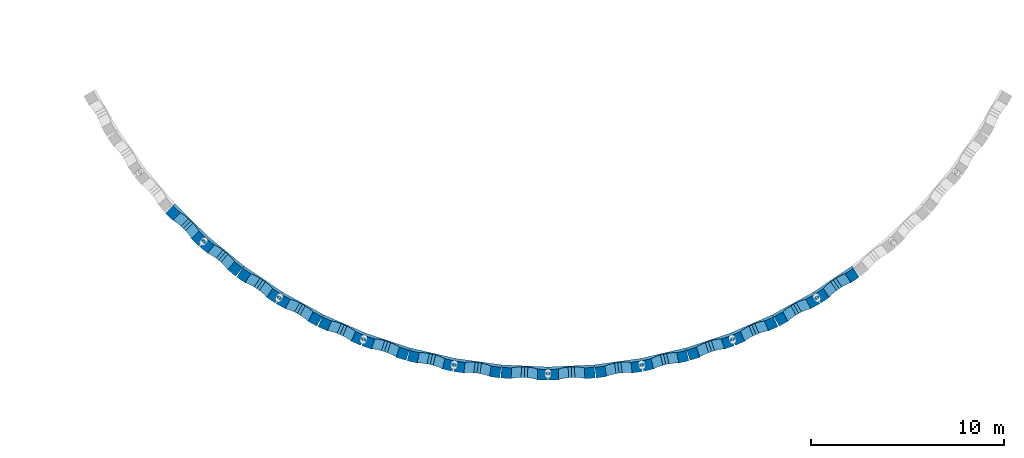
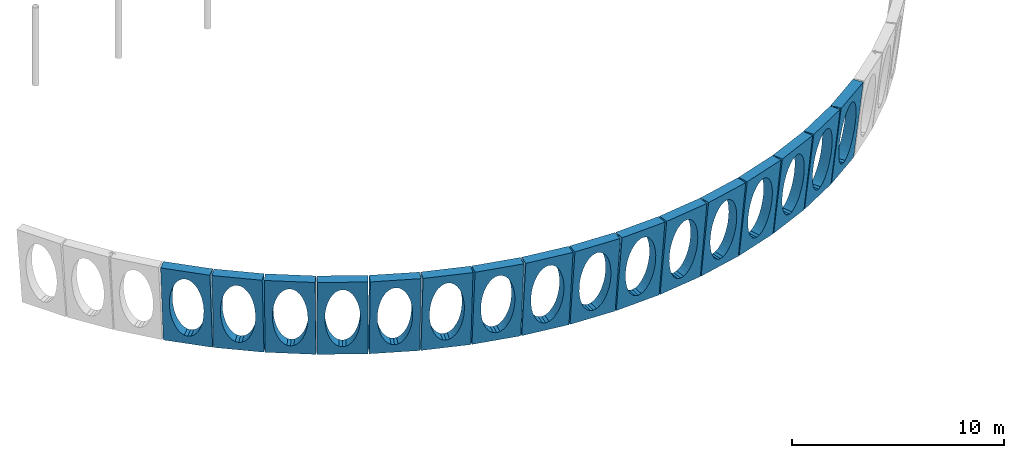
# One storey, part 141 of 164: 16 walls, 16 openings.
"""IFC4 building model written with IfcOpenShell, lengths in metres."""

from ifc_helpers import new_model, si_unit, direction, frame, origin, place, context, subcontext, project, spatial, polyline, outline, extrude, material, layer, layer_set, type_object, element, save


model = new_model("IFC4")

# Units and contexts
model_context = context("Model", 3, precision=1e-05, world=origin(), true_north=direction((0.0, 1.0)))
body_context = subcontext(model_context, "Body", "Model", "MODEL_VIEW")
ifc_project = project(units=[si_unit("LENGTHUNIT", "METRE"), si_unit("AREAUNIT", "SQUARE_METRE"), si_unit("VOLUMEUNIT", "CUBIC_METRE"), si_unit("PLANEANGLEUNIT", "RADIAN"), si_unit("MASSUNIT", "GRAM", prefix="KILO")], contexts=[model_context])

# Site, building, storey
site_placement = place(None, origin())
site = spatial("IfcSite", under=ifc_project, at=site_placement, CompositionType="ELEMENT")
building_placement = place(site_placement, origin())
building = spatial("IfcBuilding", under=site, at=building_placement, Name="Mawjan Specialist Oncology Clinic", CompositionType="ELEMENT")
storey_placement = place(building_placement, frame((0.0, 0.0, 5.0)))
storey = spatial("IfcBuildingStorey", under=building, at=storey_placement, Name="L01", CompositionType="ELEMENT", Elevation=5.0)

# Wall, opening
ifc_material = material(Name="Concrete C45/55", Category="concrete")
ifc_layer = layer(ifc_material, 0.550048828125, Name="Concrete C45/55", Category="concrete")
ifc_layer_set = layer_set([ifc_layer], Name="Concrete C45/55")
wall_type = type_object("IfcWallType", Name="EW-ARC550", PredefinedType="SOLIDWALL", material=ifc_layer_set)
wall_1_placement = place(storey_placement, frame((66.210693359375, 9.265380859375, 0.0), z_axis=(0.0, 0.0, 1.0), x_axis=(-0.711713192598, 0.702470164122, 0.0)))
wall_1 = element("IfcWall", 1, at=wall_1_placement, inside=storey, type_object=wall_type, Name="Curved Stone-Arc Wall L01 Chord 04", PredefinedType="SOLIDWALL", context=body_context, shape_type="SweptSolid", body=[
    extrude(outline(polyline([(-0.27490234375, 0.0), (0.27490234375, 0.0), (0.78759765625, 4.5), (0.23779296875, 4.5), (-0.27490234375, 0.0)])), frame((0.0, 0.0, 0.0), z_axis=(1.0, 0.0, 0.0), x_axis=(0.0, 1.0, 0.0)), (0.0, 0.0, 1.0), 2.403564453125),
])
opening_1_placement = place(wall_1_placement, origin())
element("IfcOpeningElement", 2, at=opening_1_placement, cuts=wall_1, Name="Elliptical sky opening 1", PredefinedType="OPENING", context=body_context, shape_type="SweptSolid", body=[
    extrude(outline(polyline([(2.0419921875, 2.25), (2.02587890625, 2.597900390625), (1.97802734375, 2.932373046875), (1.900390625, 3.240478515625), (1.7958984375, 3.5107421875), (1.66845703125, 3.732421875), (1.5234375, 3.897216796875), (1.36572265625, 3.998779296875), (1.201904296875, 4.032958984375), (1.0380859375, 3.998779296875), (0.88037109375, 3.897216796875), (0.735107421875, 3.732421875), (0.60791015625, 3.5107421875), (0.50341796875, 3.240478515625), (0.42578125, 2.932373046875), (0.3779296875, 2.597900390625), (0.36181640625, 2.25), (0.3779296875, 1.902099609375), (0.42578125, 1.567626953125), (0.50341796875, 1.259521484375), (0.60791015625, 0.9892578125), (0.735107421875, 0.767578125), (0.88037109375, 0.602783203125), (1.0380859375, 0.501220703125), (1.201904296875, 0.467041015625), (1.36572265625, 0.501220703125), (1.5234375, 0.602783203125), (1.66845703125, 0.767578125), (1.7958984375, 0.9892578125), (1.900390625, 1.259521484375), (1.97802734375, 1.567626953125), (2.02587890625, 1.902099609375), (2.0419921875, 2.25)])), frame((0.0, 0.8076171875, 0.0), z_axis=(0.0, -1.0, 0.0), x_axis=(1.0, 0.0, 0.0)), (0.0, 0.0, 1.0), 1.102783203125),
])

wall_2_placement = place(storey_placement, frame((68.091064453125, 7.720458984375, 0.0), z_axis=(0.0, 0.0, 1.0), x_axis=(-0.77301973123, 0.634381978881, 0.0)))
wall_2 = element("IfcWall", 3, at=wall_2_placement, inside=storey, type_object=wall_type, Name="Curved Stone-Arc Wall L01 Chord 05", PredefinedType="SOLIDWALL", context=body_context, shape_type="SweptSolid", body=[
    extrude(outline(polyline([(-0.27490234375, 0.0), (0.27490234375, 0.0), (0.78759765625, 4.5), (0.23779296875, 4.5), (-0.27490234375, 0.0)])), frame((0.0, 0.0, 0.0), z_axis=(1.0, 0.0, 0.0), x_axis=(0.0, 1.0, 0.0)), (0.0, 0.0, 1.0), 2.40380859375),
])
opening_2_placement = place(wall_2_placement, origin())
element("IfcOpeningElement", 4, at=opening_2_placement, cuts=wall_2, Name="Elliptical sky opening 1", PredefinedType="OPENING", context=body_context, shape_type="SweptSolid", body=[
    extrude(outline(polyline([(2.0419921875, 2.25), (2.02587890625, 2.597900390625), (1.97802734375, 2.932373046875), (1.900390625, 3.240478515625), (1.7958984375, 3.5107421875), (1.66845703125, 3.732421875), (1.5234375, 3.897216796875), (1.36572265625, 3.998779296875), (1.201904296875, 4.032958984375), (1.0380859375, 3.998779296875), (0.88037109375, 3.897216796875), (0.735107421875, 3.732421875), (0.60791015625, 3.5107421875), (0.50341796875, 3.240478515625), (0.42578125, 2.932373046875), (0.3779296875, 2.597900390625), (0.36181640625, 2.25), (0.3779296875, 1.902099609375), (0.42578125, 1.567626953125), (0.50341796875, 1.259521484375), (0.60791015625, 0.9892578125), (0.735107421875, 0.767578125), (0.88037109375, 0.602783203125), (1.0380859375, 0.501220703125), (1.201904296875, 0.467041015625), (1.36572265625, 0.501220703125), (1.5234375, 0.602783203125), (1.66845703125, 0.767578125), (1.7958984375, 0.9892578125), (1.900390625, 1.259521484375), (1.97802734375, 1.567626953125), (2.02587890625, 1.902099609375), (2.0419921875, 2.25)])), frame((0.0, 0.8076171875, 0.0), z_axis=(0.0, -1.0, 0.0), x_axis=(1.0, 0.0, 0.0)), (0.0, 0.0, 1.0), 1.102783203125),
])

wall_3_placement = place(storey_placement, frame((70.10498046875, 6.35400390625, 0.0), z_axis=(0.0, 0.0, 1.0), x_axis=(-0.827775657602, 0.561059230993, 0.0)))
wall_3 = element("IfcWall", 5, at=wall_3_placement, inside=storey, type_object=wall_type, Name="Curved Stone-Arc Wall L01 Chord 06", PredefinedType="SOLIDWALL", context=body_context, shape_type="SweptSolid", body=[
    extrude(outline(polyline([(-0.27490234375, 0.0), (0.27490234375, 0.0), (0.78759765625, 4.5), (0.23779296875, 4.5), (-0.27490234375, 0.0)])), frame((0.0, 0.0, 0.0), z_axis=(1.0, 0.0, 0.0), x_axis=(0.0, 1.0, 0.0)), (0.0, 0.0, 1.0), 2.40380859375),
])
opening_3_placement = place(wall_3_placement, origin())
element("IfcOpeningElement", 6, at=opening_3_placement, cuts=wall_3, Name="Elliptical sky opening 1", PredefinedType="OPENING", context=body_context, shape_type="SweptSolid", body=[
    extrude(outline(polyline([(2.0419921875, 2.25), (2.02587890625, 2.597900390625), (1.97802734375, 2.932373046875), (1.900390625, 3.240478515625), (1.7958984375, 3.5107421875), (1.66845703125, 3.732421875), (1.5234375, 3.897216796875), (1.36572265625, 3.998779296875), (1.201904296875, 4.032958984375), (1.0380859375, 3.998779296875), (0.88037109375, 3.897216796875), (0.735107421875, 3.732421875), (0.60791015625, 3.5107421875), (0.50341796875, 3.240478515625), (0.42578125, 2.932373046875), (0.3779296875, 2.597900390625), (0.36181640625, 2.25), (0.3779296875, 1.902099609375), (0.42578125, 1.567626953125), (0.50341796875, 1.259521484375), (0.60791015625, 0.9892578125), (0.735107421875, 0.767578125), (0.88037109375, 0.602783203125), (1.0380859375, 0.501220703125), (1.201904296875, 0.467041015625), (1.36572265625, 0.501220703125), (1.5234375, 0.602783203125), (1.66845703125, 0.767578125), (1.7958984375, 0.9892578125), (1.900390625, 1.259521484375), (1.97802734375, 1.567626953125), (2.02587890625, 1.902099609375), (2.0419921875, 2.25)])), frame((0.0, 0.8076171875, 0.0), z_axis=(0.0, -1.0, 0.0), x_axis=(1.0, 0.0, 0.0)), (0.0, 0.0, 1.0), 1.102783203125),
])

wall_4_placement = place(storey_placement, frame((72.2353515625, 5.177734375, 0.0), z_axis=(0.0, 0.0, 1.0), x_axis=(-0.87568136889, 0.482889366396, 0.0)))
wall_4 = element("IfcWall", 7, at=wall_4_placement, inside=storey, type_object=wall_type, Name="Curved Stone-Arc Wall L01 Chord 07", PredefinedType="SOLIDWALL", context=body_context, shape_type="SweptSolid", body=[
    extrude(outline(polyline([(-0.27490234375, 0.0), (0.27490234375, 0.0), (0.78759765625, 4.5), (0.23779296875, 4.5), (-0.27490234375, 0.0)])), frame((0.0, 0.0, 0.0), z_axis=(1.0, 0.0, 0.0), x_axis=(0.0, 1.0, 0.0)), (0.0, 0.0, 1.0), 2.403564453125),
])
opening_4_placement = place(wall_4_placement, origin())
element("IfcOpeningElement", 8, at=opening_4_placement, cuts=wall_4, Name="Elliptical sky opening 1", PredefinedType="OPENING", context=body_context, shape_type="SweptSolid", body=[
    extrude(outline(polyline([(2.0419921875, 2.25), (2.02587890625, 2.597900390625), (1.97802734375, 2.932373046875), (1.900390625, 3.240478515625), (1.7958984375, 3.5107421875), (1.66845703125, 3.732421875), (1.5234375, 3.897216796875), (1.36572265625, 3.998779296875), (1.201904296875, 4.032958984375), (1.0380859375, 3.998779296875), (0.88037109375, 3.897216796875), (0.735107421875, 3.732421875), (0.60791015625, 3.5107421875), (0.50341796875, 3.240478515625), (0.42578125, 2.932373046875), (0.3779296875, 2.597900390625), (0.36181640625, 2.25), (0.3779296875, 1.902099609375), (0.42578125, 1.567626953125), (0.50341796875, 1.259521484375), (0.60791015625, 0.9892578125), (0.735107421875, 0.767578125), (0.88037109375, 0.602783203125), (1.0380859375, 0.501220703125), (1.201904296875, 0.467041015625), (1.36572265625, 0.501220703125), (1.5234375, 0.602783203125), (1.66845703125, 0.767578125), (1.7958984375, 0.9892578125), (1.900390625, 1.259521484375), (1.97802734375, 1.567626953125), (2.02587890625, 1.902099609375), (2.0419921875, 2.25)])), frame((0.0, 0.8076171875, 0.0), z_axis=(0.0, -1.0, 0.0), x_axis=(1.0, 0.0, 0.0)), (0.0, 0.0, 1.0), 1.102783203125),
])

wall_5_placement = place(storey_placement, frame((74.464599609375, 4.201171875, 0.0), z_axis=(0.0, 0.0, 1.0), x_axis=(-0.916220260772, 0.400674972702, 0.0)))
wall_5 = element("IfcWall", 9, at=wall_5_placement, inside=storey, type_object=wall_type, Name="Curved Stone-Arc Wall L01 Chord 08", PredefinedType="SOLIDWALL", context=body_context, shape_type="SweptSolid", body=[
    extrude(outline(polyline([(-0.27490234375, 0.0), (0.27490234375, 0.0), (0.78759765625, 4.5), (0.23779296875, 4.5), (-0.27490234375, 0.0)])), frame((0.0, 0.0, 0.0), z_axis=(1.0, 0.0, 0.0), x_axis=(0.0, 1.0, 0.0)), (0.0, 0.0, 1.0), 2.40380859375),
])
opening_5_placement = place(wall_5_placement, origin())
element("IfcOpeningElement", 10, at=opening_5_placement, cuts=wall_5, Name="Elliptical sky opening 1", PredefinedType="OPENING", context=body_context, shape_type="SweptSolid", body=[
    extrude(outline(polyline([(2.0419921875, 2.25), (2.02587890625, 2.597900390625), (1.97802734375, 2.932373046875), (1.900390625, 3.240478515625), (1.7958984375, 3.5107421875), (1.66845703125, 3.732421875), (1.5234375, 3.897216796875), (1.36572265625, 3.998779296875), (1.201904296875, 4.032958984375), (1.0380859375, 3.998779296875), (0.88037109375, 3.897216796875), (0.735107421875, 3.732421875), (0.60791015625, 3.5107421875), (0.50341796875, 3.240478515625), (0.42578125, 2.932373046875), (0.3779296875, 2.597900390625), (0.36181640625, 2.25), (0.3779296875, 1.902099609375), (0.42578125, 1.567626953125), (0.50341796875, 1.259521484375), (0.60791015625, 0.9892578125), (0.735107421875, 0.767578125), (0.88037109375, 0.602783203125), (1.0380859375, 0.501220703125), (1.201904296875, 0.467041015625), (1.36572265625, 0.501220703125), (1.5234375, 0.602783203125), (1.66845703125, 0.767578125), (1.7958984375, 0.9892578125), (1.900390625, 1.259521484375), (1.97802734375, 1.567626953125), (2.02587890625, 1.902099609375), (2.0419921875, 2.25)])), frame((0.0, 0.8076171875, 0.0), z_axis=(0.0, -1.0, 0.0), x_axis=(1.0, 0.0, 0.0)), (0.0, 0.0, 1.0), 1.102783203125),
])

wall_6_placement = place(storey_placement, frame((76.773681640625, 3.4326171875, 0.0), z_axis=(0.0, 0.0, 1.0), x_axis=(-0.94900779969, 0.315252590993, 0.0)))
wall_6 = element("IfcWall", 11, at=wall_6_placement, inside=storey, type_object=wall_type, Name="Curved Stone-Arc Wall L01 Chord 09", PredefinedType="SOLIDWALL", context=body_context, shape_type="SweptSolid", body=[
    extrude(outline(polyline([(-0.27490234375, 0.0), (0.27490234375, 0.0), (0.78759765625, 4.5), (0.23779296875, 4.5), (-0.27490234375, 0.0)])), frame((0.0, 0.0, 0.0), z_axis=(1.0, 0.0, 0.0), x_axis=(0.0, 1.0, 0.0)), (0.0, 0.0, 1.0), 2.40380859375),
])
opening_6_placement = place(wall_6_placement, origin())
element("IfcOpeningElement", 12, at=opening_6_placement, cuts=wall_6, Name="Elliptical sky opening 1", PredefinedType="OPENING", context=body_context, shape_type="SweptSolid", body=[
    extrude(outline(polyline([(2.0419921875, 2.25), (2.02587890625, 2.597900390625), (1.97802734375, 2.932373046875), (1.900390625, 3.240478515625), (1.7958984375, 3.5107421875), (1.66845703125, 3.732421875), (1.5234375, 3.897216796875), (1.36572265625, 3.998779296875), (1.201904296875, 4.032958984375), (1.0380859375, 3.998779296875), (0.88037109375, 3.897216796875), (0.735107421875, 3.732421875), (0.60791015625, 3.5107421875), (0.50341796875, 3.240478515625), (0.42578125, 2.932373046875), (0.3779296875, 2.597900390625), (0.36181640625, 2.25), (0.3779296875, 1.902099609375), (0.42578125, 1.567626953125), (0.50341796875, 1.259521484375), (0.60791015625, 0.9892578125), (0.735107421875, 0.767578125), (0.88037109375, 0.602783203125), (1.0380859375, 0.501220703125), (1.201904296875, 0.467041015625), (1.36572265625, 0.501220703125), (1.5234375, 0.602783203125), (1.66845703125, 0.767578125), (1.7958984375, 0.9892578125), (1.900390625, 1.259521484375), (1.97802734375, 1.567626953125), (2.02587890625, 1.902099609375), (2.0419921875, 2.25)])), frame((0.0, 0.8076171875, 0.0), z_axis=(0.0, -1.0, 0.0), x_axis=(1.0, 0.0, 0.0)), (0.0, 0.0, 1.0), 1.102783203125),
])

wall_7_placement = place(storey_placement, frame((79.1435546875, 2.878662109375, 0.0), z_axis=(0.0, 0.0, 1.0), x_axis=(-0.97387341283, 0.227091558149, 0.0)))
wall_7 = element("IfcWall", 13, at=wall_7_placement, inside=storey, type_object=wall_type, Name="Curved Stone-Arc Wall L01 Chord 10", PredefinedType="SOLIDWALL", context=body_context, shape_type="SweptSolid", body=[
    extrude(outline(polyline([(-0.27490234375, 0.0), (0.27490234375, 0.0), (0.78759765625, 4.5), (0.23779296875, 4.5), (-0.27490234375, 0.0)])), frame((0.0, 0.0, 0.0), z_axis=(1.0, 0.0, 0.0), x_axis=(0.0, 1.0, 0.0)), (0.0, 0.0, 1.0), 2.40380859375),
])
opening_7_placement = place(wall_7_placement, origin())
element("IfcOpeningElement", 14, at=opening_7_placement, cuts=wall_7, Name="Elliptical sky opening 1", PredefinedType="OPENING", context=body_context, shape_type="SweptSolid", body=[
    extrude(outline(polyline([(2.0419921875, 2.25), (2.02587890625, 2.597900390625), (1.97802734375, 2.932373046875), (1.900390625, 3.240478515625), (1.7958984375, 3.5107421875), (1.66845703125, 3.732421875), (1.5234375, 3.897216796875), (1.36572265625, 3.998779296875), (1.201904296875, 4.032958984375), (1.0380859375, 3.998779296875), (0.88037109375, 3.897216796875), (0.735107421875, 3.732421875), (0.60791015625, 3.5107421875), (0.50341796875, 3.240478515625), (0.42578125, 2.932373046875), (0.3779296875, 2.597900390625), (0.36181640625, 2.25), (0.3779296875, 1.902099609375), (0.42578125, 1.567626953125), (0.50341796875, 1.259521484375), (0.60791015625, 0.9892578125), (0.735107421875, 0.767578125), (0.88037109375, 0.602783203125), (1.0380859375, 0.501220703125), (1.201904296875, 0.467041015625), (1.36572265625, 0.501220703125), (1.5234375, 0.602783203125), (1.66845703125, 0.767578125), (1.7958984375, 0.9892578125), (1.900390625, 1.259521484375), (1.97802734375, 1.567626953125), (2.02587890625, 1.902099609375), (2.0419921875, 2.25)])), frame((0.0, 0.8076171875, 0.0), z_axis=(0.0, -1.0, 0.0), x_axis=(1.0, 0.0, 0.0)), (0.0, 0.0, 1.0), 1.102783203125),
])

wall_8_placement = place(storey_placement, frame((81.553955078125, 2.5439453125, 0.0), z_axis=(0.0, 0.0, 1.0), x_axis=(-0.990569386757, 0.137012006843, 0.0)))
wall_8 = element("IfcWall", 15, at=wall_8_placement, inside=storey, type_object=wall_type, Name="Curved Stone-Arc Wall L01 Chord 11", PredefinedType="SOLIDWALL", context=body_context, shape_type="SweptSolid", body=[
    extrude(outline(polyline([(-0.27490234375, 0.0), (0.27490234375, 0.0), (0.78759765625, 4.5), (0.23779296875, 4.5), (-0.27490234375, 0.0)])), frame((0.0, 0.0, 0.0), z_axis=(1.0, 0.0, 0.0), x_axis=(0.0, 1.0, 0.0)), (0.0, 0.0, 1.0), 2.40380859375),
])
opening_8_placement = place(wall_8_placement, origin())
element("IfcOpeningElement", 16, at=opening_8_placement, cuts=wall_8, Name="Elliptical sky opening 1", PredefinedType="OPENING", context=body_context, shape_type="SweptSolid", body=[
    extrude(outline(polyline([(2.0419921875, 2.25), (2.02587890625, 2.597900390625), (1.97802734375, 2.932373046875), (1.900390625, 3.240478515625), (1.7958984375, 3.5107421875), (1.66845703125, 3.732421875), (1.5234375, 3.897216796875), (1.36572265625, 3.998779296875), (1.201904296875, 4.032958984375), (1.0380859375, 3.998779296875), (0.88037109375, 3.897216796875), (0.735107421875, 3.732421875), (0.60791015625, 3.5107421875), (0.50341796875, 3.240478515625), (0.42578125, 2.932373046875), (0.3779296875, 2.597900390625), (0.36181640625, 2.25), (0.3779296875, 1.902099609375), (0.42578125, 1.567626953125), (0.50341796875, 1.259521484375), (0.60791015625, 0.9892578125), (0.735107421875, 0.767578125), (0.88037109375, 0.602783203125), (1.0380859375, 0.501220703125), (1.201904296875, 0.467041015625), (1.36572265625, 0.501220703125), (1.5234375, 0.602783203125), (1.66845703125, 0.767578125), (1.7958984375, 0.9892578125), (1.900390625, 1.259521484375), (1.97802734375, 1.567626953125), (2.02587890625, 1.902099609375), (2.0419921875, 2.25)])), frame((0.0, 0.8076171875, 0.0), z_axis=(0.0, -1.0, 0.0), x_axis=(1.0, 0.0, 0.0)), (0.0, 0.0, 1.0), 1.102783203125),
])

wall_9_placement = place(storey_placement, frame((83.985107421875, 2.430908203125, 0.0), z_axis=(0.0, 0.0, 1.0), x_axis=(-0.998950452955, 0.045803848544, 0.0)))
wall_9 = element("IfcWall", 17, at=wall_9_placement, inside=storey, type_object=wall_type, Name="Curved Stone-Arc Wall L01 Chord 12", PredefinedType="SOLIDWALL", context=body_context, shape_type="SweptSolid", body=[
    extrude(outline(polyline([(-0.27490234375, 0.0), (0.27490234375, 0.0), (0.78759765625, 4.5), (0.23779296875, 4.5), (-0.27490234375, 0.0)])), frame((0.0, 0.0, 0.0), z_axis=(1.0, 0.0, 0.0), x_axis=(0.0, 1.0, 0.0)), (0.0, 0.0, 1.0), 2.40380859375),
])
opening_9_placement = place(wall_9_placement, origin())
element("IfcOpeningElement", 18, at=opening_9_placement, cuts=wall_9, Name="Elliptical sky opening 1", PredefinedType="OPENING", context=body_context, shape_type="SweptSolid", body=[
    extrude(outline(polyline([(2.0419921875, 2.25), (2.02587890625, 2.597900390625), (1.97802734375, 2.932373046875), (1.900390625, 3.240478515625), (1.7958984375, 3.5107421875), (1.66845703125, 3.732421875), (1.5234375, 3.897216796875), (1.36572265625, 3.998779296875), (1.201904296875, 4.032958984375), (1.0380859375, 3.998779296875), (0.88037109375, 3.897216796875), (0.735107421875, 3.732421875), (0.60791015625, 3.5107421875), (0.50341796875, 3.240478515625), (0.42578125, 2.932373046875), (0.3779296875, 2.597900390625), (0.36181640625, 2.25), (0.3779296875, 1.902099609375), (0.42578125, 1.567626953125), (0.50341796875, 1.259521484375), (0.60791015625, 0.9892578125), (0.735107421875, 0.767578125), (0.88037109375, 0.602783203125), (1.0380859375, 0.501220703125), (1.201904296875, 0.467041015625), (1.36572265625, 0.501220703125), (1.5234375, 0.602783203125), (1.66845703125, 0.767578125), (1.7958984375, 0.9892578125), (1.900390625, 1.259521484375), (1.97802734375, 1.567626953125), (2.02587890625, 1.902099609375), (2.0419921875, 2.25)])), frame((0.0, 0.8076171875, 0.0), z_axis=(0.0, -1.0, 0.0), x_axis=(1.0, 0.0, 0.0)), (0.0, 0.0, 1.0), 1.102783203125),
])

wall_10_placement = place(storey_placement, frame((86.416259765625, 2.541015625, 0.0), z_axis=(0.0, 0.0, 1.0), x_axis=(-0.998950452955, -0.045803848544, 0.0)))
wall_10 = element("IfcWall", 19, at=wall_10_placement, inside=storey, type_object=wall_type, Name="Curved Stone-Arc Wall L01 Chord 13", PredefinedType="SOLIDWALL", context=body_context, shape_type="SweptSolid", body=[
    extrude(outline(polyline([(-0.27490234375, 0.0), (0.27490234375, 0.0), (0.78759765625, 4.5), (0.23779296875, 4.5), (-0.27490234375, 0.0)])), frame((0.0, 0.0, 0.0), z_axis=(1.0, 0.0, 0.0), x_axis=(0.0, 1.0, 0.0)), (0.0, 0.0, 1.0), 2.40380859375),
])
opening_10_placement = place(wall_10_placement, origin())
element("IfcOpeningElement", 20, at=opening_10_placement, cuts=wall_10, Name="Elliptical sky opening 1", PredefinedType="OPENING", context=body_context, shape_type="SweptSolid", body=[
    extrude(outline(polyline([(2.0419921875, 2.25), (2.02587890625, 2.597900390625), (1.97802734375, 2.932373046875), (1.900390625, 3.240478515625), (1.7958984375, 3.5107421875), (1.66845703125, 3.732421875), (1.5234375, 3.897216796875), (1.36572265625, 3.998779296875), (1.201904296875, 4.032958984375), (1.0380859375, 3.998779296875), (0.88037109375, 3.897216796875), (0.735107421875, 3.732421875), (0.60791015625, 3.5107421875), (0.50341796875, 3.240478515625), (0.42578125, 2.932373046875), (0.3779296875, 2.597900390625), (0.36181640625, 2.25), (0.3779296875, 1.902099609375), (0.42578125, 1.567626953125), (0.50341796875, 1.259521484375), (0.60791015625, 0.9892578125), (0.735107421875, 0.767578125), (0.88037109375, 0.602783203125), (1.0380859375, 0.501220703125), (1.201904296875, 0.467041015625), (1.36572265625, 0.501220703125), (1.5234375, 0.602783203125), (1.66845703125, 0.767578125), (1.7958984375, 0.9892578125), (1.900390625, 1.259521484375), (1.97802734375, 1.567626953125), (2.02587890625, 1.902099609375), (2.0419921875, 2.25)])), frame((0.0, 0.8076171875, 0.0), z_axis=(0.0, -1.0, 0.0), x_axis=(1.0, 0.0, 0.0)), (0.0, 0.0, 1.0), 1.102783203125),
])

wall_11_placement = place(storey_placement, frame((88.8271484375, 2.873291015625, 0.0), z_axis=(0.0, 0.0, 1.0), x_axis=(-0.990569386757, -0.137012006843, 0.0)))
wall_11 = element("IfcWall", 21, at=wall_11_placement, inside=storey, type_object=wall_type, Name="Curved Stone-Arc Wall L01 Chord 14", PredefinedType="SOLIDWALL", context=body_context, shape_type="SweptSolid", body=[
    extrude(outline(polyline([(-0.27490234375, 0.0), (0.27490234375, 0.0), (0.78759765625, 4.5), (0.23779296875, 4.5), (-0.27490234375, 0.0)])), frame((0.0, 0.0, 0.0), z_axis=(1.0, 0.0, 0.0), x_axis=(0.0, 1.0, 0.0)), (0.0, 0.0, 1.0), 2.40380859375),
])
opening_11_placement = place(wall_11_placement, origin())
element("IfcOpeningElement", 22, at=opening_11_placement, cuts=wall_11, Name="Elliptical sky opening 1", PredefinedType="OPENING", context=body_context, shape_type="SweptSolid", body=[
    extrude(outline(polyline([(2.0419921875, 2.25), (2.02587890625, 2.597900390625), (1.97802734375, 2.932373046875), (1.900390625, 3.240478515625), (1.7958984375, 3.5107421875), (1.66845703125, 3.732421875), (1.5234375, 3.897216796875), (1.36572265625, 3.998779296875), (1.201904296875, 4.032958984375), (1.0380859375, 3.998779296875), (0.88037109375, 3.897216796875), (0.735107421875, 3.732421875), (0.60791015625, 3.5107421875), (0.50341796875, 3.240478515625), (0.42578125, 2.932373046875), (0.3779296875, 2.597900390625), (0.36181640625, 2.25), (0.3779296875, 1.902099609375), (0.42578125, 1.567626953125), (0.50341796875, 1.259521484375), (0.60791015625, 0.9892578125), (0.735107421875, 0.767578125), (0.88037109375, 0.602783203125), (1.0380859375, 0.501220703125), (1.201904296875, 0.467041015625), (1.36572265625, 0.501220703125), (1.5234375, 0.602783203125), (1.66845703125, 0.767578125), (1.7958984375, 0.9892578125), (1.900390625, 1.259521484375), (1.97802734375, 1.567626953125), (2.02587890625, 1.902099609375), (2.0419921875, 2.25)])), frame((0.0, 0.8076171875, 0.0), z_axis=(0.0, -1.0, 0.0), x_axis=(1.0, 0.0, 0.0)), (0.0, 0.0, 1.0), 1.102783203125),
])

wall_12_placement = place(storey_placement, frame((91.197509765625, 3.424560546875, 0.0), z_axis=(0.0, 0.0, 1.0), x_axis=(-0.97387341283, -0.227091558149, 0.0)))
wall_12 = element("IfcWall", 23, at=wall_12_placement, inside=storey, type_object=wall_type, Name="Curved Stone-Arc Wall L01 Chord 15", PredefinedType="SOLIDWALL", context=body_context, shape_type="SweptSolid", body=[
    extrude(outline(polyline([(-0.27490234375, 0.0), (0.27490234375, 0.0), (0.78759765625, 4.5), (0.23779296875, 4.5), (-0.27490234375, 0.0)])), frame((0.0, 0.0, 0.0), z_axis=(1.0, 0.0, 0.0), x_axis=(0.0, 1.0, 0.0)), (0.0, 0.0, 1.0), 2.40380859375),
])
opening_12_placement = place(wall_12_placement, origin())
element("IfcOpeningElement", 24, at=opening_12_placement, cuts=wall_12, Name="Elliptical sky opening 1", PredefinedType="OPENING", context=body_context, shape_type="SweptSolid", body=[
    extrude(outline(polyline([(2.0419921875, 2.25), (2.02587890625, 2.597900390625), (1.97802734375, 2.932373046875), (1.900390625, 3.240478515625), (1.7958984375, 3.5107421875), (1.66845703125, 3.732421875), (1.5234375, 3.897216796875), (1.36572265625, 3.998779296875), (1.201904296875, 4.032958984375), (1.0380859375, 3.998779296875), (0.88037109375, 3.897216796875), (0.735107421875, 3.732421875), (0.60791015625, 3.5107421875), (0.50341796875, 3.240478515625), (0.42578125, 2.932373046875), (0.3779296875, 2.597900390625), (0.36181640625, 2.25), (0.3779296875, 1.902099609375), (0.42578125, 1.567626953125), (0.50341796875, 1.259521484375), (0.60791015625, 0.9892578125), (0.735107421875, 0.767578125), (0.88037109375, 0.602783203125), (1.0380859375, 0.501220703125), (1.201904296875, 0.467041015625), (1.36572265625, 0.501220703125), (1.5234375, 0.602783203125), (1.66845703125, 0.767578125), (1.7958984375, 0.9892578125), (1.900390625, 1.259521484375), (1.97802734375, 1.567626953125), (2.02587890625, 1.902099609375), (2.0419921875, 2.25)])), frame((0.0, 0.8076171875, 0.0), z_axis=(0.0, -1.0, 0.0), x_axis=(1.0, 0.0, 0.0)), (0.0, 0.0, 1.0), 1.102783203125),
])

wall_13_placement = place(storey_placement, frame((93.507568359375, 4.1904296875, 0.0), z_axis=(0.0, 0.0, 1.0), x_axis=(-0.94900779969, -0.315252590993, 0.0)))
wall_13 = element("IfcWall", 25, at=wall_13_placement, inside=storey, type_object=wall_type, Name="Curved Stone-Arc Wall L01 Chord 16", PredefinedType="SOLIDWALL", context=body_context, shape_type="SweptSolid", body=[
    extrude(outline(polyline([(-0.27490234375, 0.0), (0.27490234375, 0.0), (0.78759765625, 4.5), (0.23779296875, 4.5), (-0.27490234375, 0.0)])), frame((0.0, 0.0, 0.0), z_axis=(1.0, 0.0, 0.0), x_axis=(0.0, 1.0, 0.0)), (0.0, 0.0, 1.0), 2.40380859375),
])
opening_13_placement = place(wall_13_placement, origin())
element("IfcOpeningElement", 26, at=opening_13_placement, cuts=wall_13, Name="Elliptical sky opening 1", PredefinedType="OPENING", context=body_context, shape_type="SweptSolid", body=[
    extrude(outline(polyline([(2.0419921875, 2.25), (2.02587890625, 2.597900390625), (1.97802734375, 2.932373046875), (1.900390625, 3.240478515625), (1.7958984375, 3.5107421875), (1.66845703125, 3.732421875), (1.5234375, 3.897216796875), (1.36572265625, 3.998779296875), (1.201904296875, 4.032958984375), (1.0380859375, 3.998779296875), (0.88037109375, 3.897216796875), (0.735107421875, 3.732421875), (0.60791015625, 3.5107421875), (0.50341796875, 3.240478515625), (0.42578125, 2.932373046875), (0.3779296875, 2.597900390625), (0.36181640625, 2.25), (0.3779296875, 1.902099609375), (0.42578125, 1.567626953125), (0.50341796875, 1.259521484375), (0.60791015625, 0.9892578125), (0.735107421875, 0.767578125), (0.88037109375, 0.602783203125), (1.0380859375, 0.501220703125), (1.201904296875, 0.467041015625), (1.36572265625, 0.501220703125), (1.5234375, 0.602783203125), (1.66845703125, 0.767578125), (1.7958984375, 0.9892578125), (1.900390625, 1.259521484375), (1.97802734375, 1.567626953125), (2.02587890625, 1.902099609375), (2.0419921875, 2.25)])), frame((0.0, 0.8076171875, 0.0), z_axis=(0.0, -1.0, 0.0), x_axis=(1.0, 0.0, 0.0)), (0.0, 0.0, 1.0), 1.102783203125),
])

wall_14_placement = place(storey_placement, frame((95.73779296875, 5.164306640625, 0.0), z_axis=(0.0, 0.0, 1.0), x_axis=(-0.916220260772, -0.400674972702, 0.0)))
wall_14 = element("IfcWall", 27, at=wall_14_placement, inside=storey, type_object=wall_type, Name="Curved Stone-Arc Wall L01 Chord 17", PredefinedType="SOLIDWALL", context=body_context, shape_type="SweptSolid", body=[
    extrude(outline(polyline([(-0.27490234375, 0.0), (0.27490234375, 0.0), (0.78759765625, 4.5), (0.23779296875, 4.5), (-0.27490234375, 0.0)])), frame((0.0, 0.0, 0.0), z_axis=(1.0, 0.0, 0.0), x_axis=(0.0, 1.0, 0.0)), (0.0, 0.0, 1.0), 2.40380859375),
])
opening_14_placement = place(wall_14_placement, origin())
element("IfcOpeningElement", 28, at=opening_14_placement, cuts=wall_14, Name="Elliptical sky opening 1", PredefinedType="OPENING", context=body_context, shape_type="SweptSolid", body=[
    extrude(outline(polyline([(2.0419921875, 2.25), (2.02587890625, 2.597900390625), (1.97802734375, 2.932373046875), (1.900390625, 3.240478515625), (1.7958984375, 3.5107421875), (1.66845703125, 3.732421875), (1.5234375, 3.897216796875), (1.36572265625, 3.998779296875), (1.201904296875, 4.032958984375), (1.0380859375, 3.998779296875), (0.88037109375, 3.897216796875), (0.735107421875, 3.732421875), (0.60791015625, 3.5107421875), (0.50341796875, 3.240478515625), (0.42578125, 2.932373046875), (0.3779296875, 2.597900390625), (0.36181640625, 2.25), (0.3779296875, 1.902099609375), (0.42578125, 1.567626953125), (0.50341796875, 1.259521484375), (0.60791015625, 0.9892578125), (0.735107421875, 0.767578125), (0.88037109375, 0.602783203125), (1.0380859375, 0.501220703125), (1.201904296875, 0.467041015625), (1.36572265625, 0.501220703125), (1.5234375, 0.602783203125), (1.66845703125, 0.767578125), (1.7958984375, 0.9892578125), (1.900390625, 1.259521484375), (1.97802734375, 1.567626953125), (2.02587890625, 1.902099609375), (2.0419921875, 2.25)])), frame((0.0, 0.8076171875, 0.0), z_axis=(0.0, -1.0, 0.0), x_axis=(1.0, 0.0, 0.0)), (0.0, 0.0, 1.0), 1.102783203125),
])

wall_15_placement = place(storey_placement, frame((97.869384765625, 6.33837890625, 0.0), z_axis=(0.0, 0.0, 1.0), x_axis=(-0.87568136889, -0.482889366396, 0.0)))
wall_15 = element("IfcWall", 29, at=wall_15_placement, inside=storey, type_object=wall_type, Name="Curved Stone-Arc Wall L01 Chord 18", PredefinedType="SOLIDWALL", context=body_context, shape_type="SweptSolid", body=[
    extrude(outline(polyline([(-0.27490234375, 0.0), (0.27490234375, 0.0), (0.78759765625, 4.5), (0.23779296875, 4.5), (-0.27490234375, 0.0)])), frame((0.0, 0.0, 0.0), z_axis=(1.0, 0.0, 0.0), x_axis=(0.0, 1.0, 0.0)), (0.0, 0.0, 1.0), 2.403564453125),
])
opening_15_placement = place(wall_15_placement, origin())
element("IfcOpeningElement", 30, at=opening_15_placement, cuts=wall_15, Name="Elliptical sky opening 1", PredefinedType="OPENING", context=body_context, shape_type="SweptSolid", body=[
    extrude(outline(polyline([(2.0419921875, 2.25), (2.02587890625, 2.597900390625), (1.97802734375, 2.932373046875), (1.900390625, 3.240478515625), (1.7958984375, 3.5107421875), (1.66845703125, 3.732421875), (1.5234375, 3.897216796875), (1.36572265625, 3.998779296875), (1.201904296875, 4.032958984375), (1.0380859375, 3.998779296875), (0.88037109375, 3.897216796875), (0.735107421875, 3.732421875), (0.60791015625, 3.5107421875), (0.50341796875, 3.240478515625), (0.42578125, 2.932373046875), (0.3779296875, 2.597900390625), (0.36181640625, 2.25), (0.3779296875, 1.902099609375), (0.42578125, 1.567626953125), (0.50341796875, 1.259521484375), (0.60791015625, 0.9892578125), (0.735107421875, 0.767578125), (0.88037109375, 0.602783203125), (1.0380859375, 0.501220703125), (1.201904296875, 0.467041015625), (1.36572265625, 0.501220703125), (1.5234375, 0.602783203125), (1.66845703125, 0.767578125), (1.7958984375, 0.9892578125), (1.900390625, 1.259521484375), (1.97802734375, 1.567626953125), (2.02587890625, 1.902099609375), (2.0419921875, 2.25)])), frame((0.0, 0.8076171875, 0.0), z_axis=(0.0, -1.0, 0.0), x_axis=(1.0, 0.0, 0.0)), (0.0, 0.0, 1.0), 1.102783203125),
])

wall_16_placement = place(storey_placement, frame((99.884765625, 7.70263671875, 0.0), z_axis=(0.0, 0.0, 1.0), x_axis=(-0.827775657602, -0.561059230993, 0.0)))
wall_16 = element("IfcWall", 31, at=wall_16_placement, inside=storey, type_object=wall_type, Name="Curved Stone-Arc Wall L01 Chord 19", PredefinedType="SOLIDWALL", context=body_context, shape_type="SweptSolid", body=[
    extrude(outline(polyline([(-0.27490234375, 0.0), (0.27490234375, 0.0), (0.78759765625, 4.5), (0.23779296875, 4.5), (-0.27490234375, 0.0)])), frame((0.0, 0.0, 0.0), z_axis=(1.0, 0.0, 0.0), x_axis=(0.0, 1.0, 0.0)), (0.0, 0.0, 1.0), 2.40380859375),
])
opening_16_placement = place(wall_16_placement, origin())
element("IfcOpeningElement", 32, at=opening_16_placement, cuts=wall_16, Name="Elliptical sky opening 1", PredefinedType="OPENING", context=body_context, shape_type="SweptSolid", body=[
    extrude(outline(polyline([(2.0419921875, 2.25), (2.02587890625, 2.597900390625), (1.97802734375, 2.932373046875), (1.900390625, 3.240478515625), (1.7958984375, 3.5107421875), (1.66845703125, 3.732421875), (1.5234375, 3.897216796875), (1.36572265625, 3.998779296875), (1.201904296875, 4.032958984375), (1.0380859375, 3.998779296875), (0.88037109375, 3.897216796875), (0.735107421875, 3.732421875), (0.60791015625, 3.5107421875), (0.50341796875, 3.240478515625), (0.42578125, 2.932373046875), (0.3779296875, 2.597900390625), (0.36181640625, 2.25), (0.3779296875, 1.902099609375), (0.42578125, 1.567626953125), (0.50341796875, 1.259521484375), (0.60791015625, 0.9892578125), (0.735107421875, 0.767578125), (0.88037109375, 0.602783203125), (1.0380859375, 0.501220703125), (1.201904296875, 0.467041015625), (1.36572265625, 0.501220703125), (1.5234375, 0.602783203125), (1.66845703125, 0.767578125), (1.7958984375, 0.9892578125), (1.900390625, 1.259521484375), (1.97802734375, 1.567626953125), (2.02587890625, 1.902099609375), (2.0419921875, 2.25)])), frame((0.0, 0.8076171875, 0.0), z_axis=(0.0, -1.0, 0.0), x_axis=(1.0, 0.0, 0.0)), (0.0, 0.0, 1.0), 1.102783203125),
])

save(model, "model.ifc")
